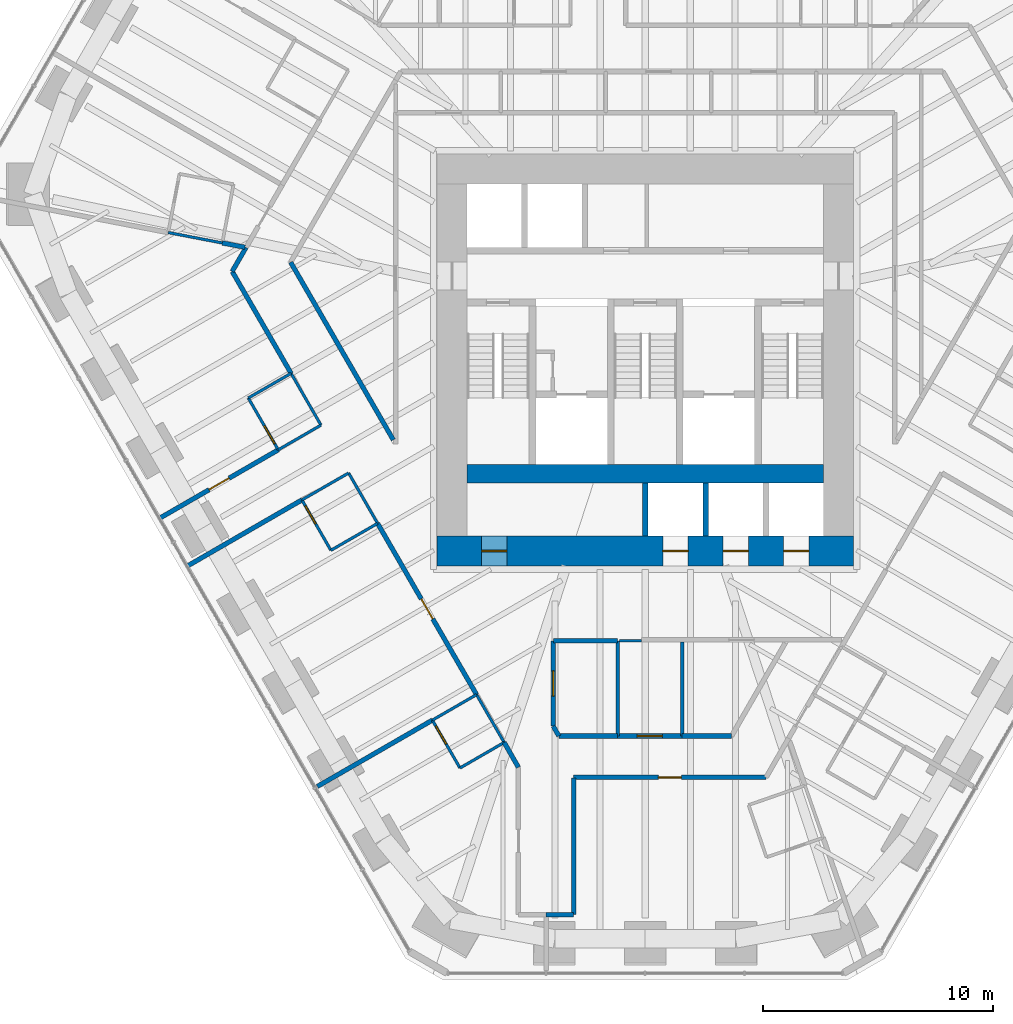
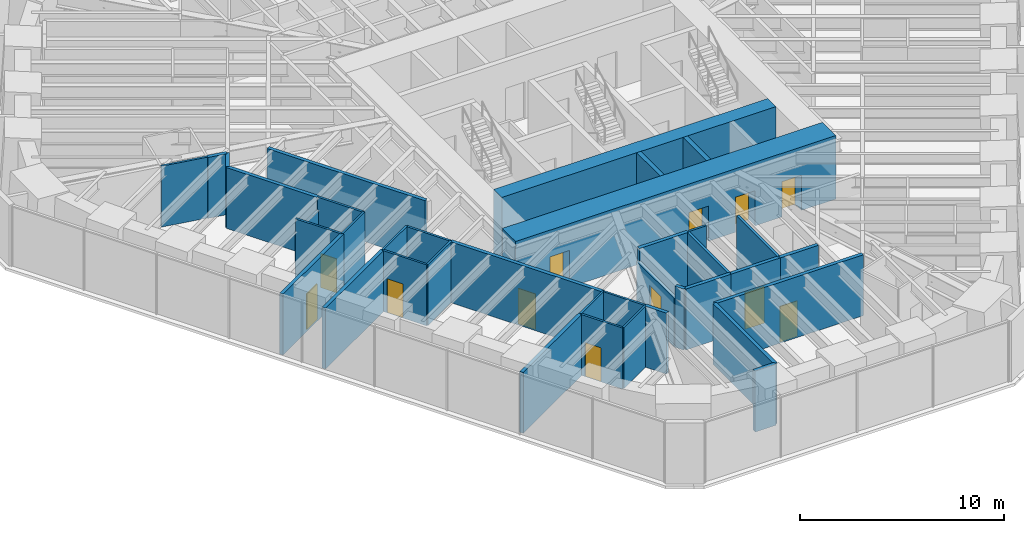
# One storey, part 11 of 17: 38 walls, 12 doors, 12 openings.
"""IFC4 building model written with IfcOpenShell, lengths in metres."""

import ifcopenshell
import ifcopenshell.guid

model = None  # the IFC model being written
_history = None  # IfcOwnerHistory: only IFC2X3 demands one
_inside = {}  # id of a spatial element -> (the spatial element, [elements in it])
_under = {}  # id of a project, library or spatial element -> (it, [spatial elements below it])
_declared = {}  # id of a project -> (the project, [libraries it declares])
_typed = {}  # id of a type object -> (the type object, [elements of that type])
_made_of = {}  # id of a material, layer set ... -> (it, [elements and type objects made of it])


def new_model(schema):
    """Start an empty IFC model of exactly this schema.

    Asked for "IFC4X3", IfcOpenShell would pick the latest addendum, in which some entities
    have other attributes; the version numbers below select the first issue.
    IFC2X3 requires an IfcOwnerHistory on every rooted entity: one is made here for all.
    """
    global model, _history
    if schema == "IFC4X3":
        model = ifcopenshell.file(schema_version=(4, 3, 0, 0))
    else:
        model = ifcopenshell.file(schema=schema)
    _inside.clear()
    _under.clear()
    _declared.clear()
    _typed.clear()
    _made_of.clear()
    _history = None
    if model.schema == "IFC2X3":
        org = make("IfcOrganization", Name="unknown")
        user = make(
            "IfcPersonAndOrganization",
            ThePerson=make("IfcPerson", FamilyName="unknown"),
            TheOrganization=org,
        )
        app = make(
            "IfcApplication",
            ApplicationDeveloper=org,
            Version="unknown",
            ApplicationFullName="unknown",
            ApplicationIdentifier="unknown",
        )
        _history = make(
            "IfcOwnerHistory",
            OwningUser=user,
            OwningApplication=app,
            ChangeAction="ADDED",
            CreationDate=0,
        )
    return model


def make(cls, **values):
    """One entity of the class cls with the attributes given. An attribute that is None is left unset."""
    return model.create_entity(
        cls, **{name: value for name, value in values.items() if value is not None}
    )


def rooted(cls, **values):
    """An entity with a GlobalId (a new one), such as an element, a storey or a relation."""
    return make(cls, GlobalId=ifcopenshell.guid.new(), OwnerHistory=_history, **values)


def si_unit(unit_type, name, prefix=None):
    """IfcSIUnit, for example si_unit("LENGTHUNIT", "METRE", prefix="MILLI")."""
    return make("IfcSIUnit", UnitType=unit_type, Prefix=prefix, Name=name)


def assignment(units):
    """IfcUnitAssignment: the units of a project."""
    return None if units is None else make("IfcUnitAssignment", Units=units)


def point(xyz):
    """IfcCartesianPoint."""
    return None if xyz is None else make("IfcCartesianPoint", Coordinates=xyz)


def direction(xyz):
    """IfcDirection."""
    return None if xyz is None else make("IfcDirection", DirectionRatios=xyz)


def frame(location, z_axis=None, x_axis=None):
    """IfcAxis2Placement3D, a coordinate frame: its origin and axes. An axis left out is left unset."""
    return make(
        "IfcAxis2Placement3D",
        Location=point(location),
        Axis=direction(z_axis),
        RefDirection=direction(x_axis),
    )


def frame_2d(location, x_axis=None):
    """IfcAxis2Placement2D, a coordinate frame in the plane: its origin and x axis."""
    return make(
        "IfcAxis2Placement2D", Location=point(location), RefDirection=direction(x_axis)
    )


def origin():
    """The frame at (0, 0, 0) with its axes left unset."""
    return frame((0.0, 0.0, 0.0))


def place(relative_to, where):
    """IfcLocalPlacement: puts the frame where relative to a parent placement (None: the world)."""
    return make(
        "IfcLocalPlacement", PlacementRelTo=relative_to, RelativePlacement=where
    )


def context(
    kind, dimensions, precision=None, world=None, true_north=None, identifier=None
):
    """IfcGeometricRepresentationContext, for example the 3D "Model" context."""
    return make(
        "IfcGeometricRepresentationContext",
        ContextIdentifier=identifier,
        ContextType=kind,
        CoordinateSpaceDimension=dimensions,
        Precision=precision,
        WorldCoordinateSystem=world,
        TrueNorth=true_north,
    )


def subcontext(parent, identifier, kind, view, scale=None):
    """IfcGeometricRepresentationSubContext, for example "Body" below "Model"."""
    return make(
        "IfcGeometricRepresentationSubContext",
        ContextIdentifier=identifier,
        ContextType=kind,
        ParentContext=parent,
        TargetScale=scale,
        TargetView=view,
    )


def project(units=None, contexts=None):
    """IfcProject with its units and contexts."""
    return rooted(
        "IfcProject",
        Name="project",
        RepresentationContexts=contexts,
        UnitsInContext=assignment(units),
    )


def spatial(cls, under=None, at=None, **own):
    """A site, building, storey or space (cls), placed at a placement, below another one or the project."""
    s = rooted(cls, ObjectPlacement=at, **own)
    if under is not None:
        _under.setdefault(under.id(), (under, []))[1].append(s)
    return s


def profile(cls, at=None, kind="AREA", **sizes):
    """A parametric profile (cls). Its sizes go by their IFC names, for example OverallWidth=200.0."""
    return make(cls, ProfileType=kind, Position=at, **sizes)


def rectangle(**sizes):
    """IfcRectangleProfileDef."""
    return profile("IfcRectangleProfileDef", **sizes)


def extrude(swept, where, along, depth):
    """IfcExtrudedAreaSolid: the profile swept, set in the frame where, extruded along a direction by depth."""
    return make(
        "IfcExtrudedAreaSolid",
        SweptArea=swept,
        Position=where,
        ExtrudedDirection=direction(along),
        Depth=depth,
    )


def shape(context_of_items, identifier, shape_type, items):
    """IfcShapeRepresentation: the items that make up one representation, for example the "Body"."""
    return make(
        "IfcShapeRepresentation",
        ContextOfItems=context_of_items,
        RepresentationIdentifier=identifier,
        RepresentationType=shape_type,
        Items=items,
    )


def material(Name=None, Category=None):
    """IfcMaterial."""
    return make("IfcMaterial", Name=Name, Category=Category)


def layer(
    of_material, thickness, ventilated=None, Name=None, Category=None, Priority=None
):
    """IfcMaterialLayer: one layer of a wall or slab, of a material (None: an air gap)."""
    return make(
        "IfcMaterialLayer",
        Material=of_material,
        LayerThickness=thickness,
        IsVentilated=ventilated,
        Name=Name,
        Category=Category,
        Priority=Priority,
    )


def layer_set(layers, Name=None):
    """IfcMaterialLayerSet."""
    return make("IfcMaterialLayerSet", MaterialLayers=layers, LayerSetName=Name)


def made_of(thing, what):
    """Note that an element or type object is made of a material, layer set ...; save() writes the relation."""
    if what is not None:
        _made_of.setdefault(what.id(), (what, []))[1].append(thing)
    return thing


def type_object(cls, material=None, **own):
    """A type object (cls), such as IfcWallType, which elements share."""
    return made_of(rooted(cls, **own), material)


def element(
    cls,
    number,
    at=None,
    inside=None,
    cuts=None,
    type_object=None,
    material=None,
    context=None,
    identifier="Body",
    shape_type=None,
    held_by="IfcProductDefinitionShape",
    body=None,
    shapes=None,
    **own,
):
    """One element of the class cls, such as IfcWall. Its Tag is "e" and its number.

    at: its placement. inside: the storey or other place that contains it. cuts: it is an
    opening in that element (IfcRelVoidsElement). A single representation is given by context,
    identifier, shape_type and body (its items); several are given by shapes. held_by: the class
    of the entity that holds the representations. save() writes the other relations.
    """
    e = rooted(cls, Tag="e%d" % number, ObjectPlacement=at, **own)
    if body is not None:
        shapes = [shape(context, identifier, shape_type, body)]
    if shapes is not None:
        e.Representation = make(held_by, Representations=shapes)
    if inside is not None:
        _inside.setdefault(inside.id(), (inside, []))[1].append(e)
    if cuts is not None:
        rooted(
            "IfcRelVoidsElement", RelatingBuildingElement=cuts, RelatedOpeningElement=e
        )
    if type_object is not None:
        _typed.setdefault(type_object.id(), (type_object, []))[1].append(e)
    return made_of(e, material)


def fill(opening, filler):
    """IfcRelFillsElement: the door or window that sits in an opening."""
    return rooted(
        "IfcRelFillsElement",
        RelatingOpeningElement=opening,
        RelatedBuildingElement=filler,
    )


def aggregate(whole, parts):
    """IfcRelAggregates: a whole, such as a stair, and the parts it consists of."""
    return rooted("IfcRelAggregates", RelatingObject=whole, RelatedObjects=parts)


def save(model, path):
    """Write the relations noted so far, then the file.

    IfcRelAggregates (storeys below a building ...), IfcRelContainedInSpatialStructure (elements
    in a storey), IfcRelDefinesByType, IfcRelAssociatesMaterial and IfcRelDeclares: one each for
    every whole, place, type object, material and project.
    """
    for whole, parts in _under.values():
        aggregate(whole, parts)
    for where, things in _inside.values():
        rooted(
            "IfcRelContainedInSpatialStructure",
            RelatedElements=things,
            RelatingStructure=where,
        )
    for kind, things in _typed.values():
        rooted("IfcRelDefinesByType", RelatedObjects=things, RelatingType=kind)
    for what, things in _made_of.values():
        rooted("IfcRelAssociatesMaterial", RelatedObjects=things, RelatingMaterial=what)
    for by, libraries in _declared.values():
        rooted("IfcRelDeclares", RelatingContext=by, RelatedDefinitions=libraries)
    model.write(path)


model = new_model("IFC4")

# Units and contexts
model_context = context("Model", 3, precision=1e-05, world=origin(), true_north=direction((0.0, 1.0)))
body_context = subcontext(model_context, "Body", "Model", "MODEL_VIEW")
ifc_project = project(units=[si_unit("LENGTHUNIT", "METRE"), si_unit("AREAUNIT", "SQUARE_METRE"), si_unit("VOLUMEUNIT", "CUBIC_METRE"), si_unit("PLANEANGLEUNIT", "RADIAN"), si_unit("MASSUNIT", "GRAM", prefix="KILO")], contexts=[model_context])

# Site, building, storey
site_placement = place(None, origin())
site = spatial("IfcSite", under=ifc_project, at=site_placement, CompositionType="ELEMENT")
building_placement = place(site_placement, origin())
building = spatial("IfcBuilding", under=site, at=building_placement, Name="Sandreach Pilgrim Tower", CompositionType="ELEMENT")
storey_placement = place(building_placement, frame((0.0, 0.0, 150.0)))
storey = spatial("IfcBuildingStorey", under=building, at=storey_placement, Name="L37", CompositionType="ELEMENT", Elevation=150.0)

# Walls
ifc_material_1 = material(Name="Gypsum board on steel studs", Category="steel")
ifc_layer_1 = layer(ifc_material_1, 0.14990234375)
ifc_layer_set_1 = layer_set([ifc_layer_1], Name="Back of house wall 150")
wall_type_1 = type_object("IfcWallType", Name="Back of house wall 150", PredefinedType="PARTITIONING", material=ifc_layer_set_1)
wall_1_placement = place(storey_placement, frame((-1.199951171875, -13.75, 0.0), z_axis=(0.0, 0.0, 1.0), x_axis=(0.0, -1.0, 0.0)))
element("IfcWall", 1, at=wall_1_placement, inside=storey, type_object=wall_type_1, Name="Back of house wall L37-073", PredefinedType="PARTITIONING", context=body_context, shape_type="SweptSolid", body=[
    extrude(rectangle(XDim=4.139892578125, YDim=0.14990234375, at=frame_2d((2.06982421875, 0.0))), origin(), (0.0, 0.0, 1.0), 3.639892578125),
])
wall_2_placement = place(storey_placement, frame((1.60009765625, -13.800048828125, 0.0), z_axis=(0.0, 0.0, 1.0), x_axis=(0.0, -1.0, 0.0)))
element("IfcWall", 2, at=wall_2_placement, inside=storey, type_object=wall_type_1, Name="Back of house wall L37-077", PredefinedType="PARTITIONING", context=body_context, shape_type="SweptSolid", body=[
    extrude(rectangle(XDim=4.08984375, YDim=0.14990234375, at=frame_2d((2.044921875, 0.0))), origin(), (0.0, 0.0, 1.0), 3.639892578125),
])
ifc_material_2 = material(Name="Moisture-resistant gypsum board on steel studs", Category="steel")
ifc_layer_2 = layer(ifc_material_2, 0.1201171875)
ifc_layer_set_2 = layer_set([ifc_layer_2], Name="Bathroom partition 120")
wall_type_2 = type_object("IfcWallType", Name="Bathroom partition 120", PredefinedType="PARTITIONING", material=ifc_layer_set_2)
wall_3_placement = place(storey_placement, frame((-20.72998046875, 3.989990234375, 0.0), z_axis=(0.0, 0.0, 1.0), x_axis=(0.982021000234, -0.188771701001, 0.0)))
element("IfcWall", 3, at=wall_3_placement, inside=storey, type_object=wall_type_2, Name="Bathroom partition L37-004", PredefinedType="PARTITIONING", context=body_context, shape_type="SweptSolid", body=[
    extrude(rectangle(XDim=2.392578125, YDim=0.1201171875, at=frame_2d((1.1962890625, 0.0))), origin(), (0.0, 0.0, 1.0), 3.639892578125),
])

# Wall, opening, door
wall_4_placement = place(storey_placement, frame((-17.25, -3.199951171875, 0.0), z_axis=(0.0, 0.0, 1.0), x_axis=(0.500291685314, -0.865856933682, 0.0)))
wall_4 = element("IfcWall", 4, at=wall_4_placement, inside=storey, type_object=wall_type_2, Name="Bathroom partition L37-018", PredefinedType="PARTITIONING", context=body_context, shape_type="SweptSolid", body=[
    extrude(rectangle(XDim=2.5986328125, YDim=0.1201171875, at=frame_2d((1.29931640625, 0.0))), origin(), (0.0, 0.0, 1.0), 3.639892578125),
])
opening_1_placement = place(wall_4_placement, frame((1.398681640625, 0.0, 0.0)))
opening_1 = element("IfcOpeningElement", 5, at=opening_1_placement, cuts=wall_4, Name="Opening D09-13B", PredefinedType="OPENING", context=body_context, shape_type="SweptSolid", body=[
    extrude(rectangle(XDim=0.89990234375, YDim=2.030029296875, at=frame_2d((0.449951171875, 1.01513671875))), frame((0.0, 0.06005859375, 0.0), z_axis=(0.0, -1.0, 0.0), x_axis=(1.0, 0.0, 0.0)), (0.0, 0.0, 1.0), 0.1201171875),
])
ifc_material_3 = material(Name="Timber door, steel frame", Category="steel")
door_type_1 = type_object("IfcDoorType", Name="Bathroom door", OperationType="SINGLE_SWING_LEFT", PredefinedType="DOOR", material=ifc_material_3)
door_1_placement = place(opening_1_placement, origin())
door_1 = element("IfcDoor", 6, at=door_1_placement, inside=storey, type_object=door_type_1, Name="Door 3713B", OperationType="SINGLE_SWING_RIGHT", OverallHeight=2.030029296875, OverallWidth=0.89990234375, PredefinedType="DOOR", context=body_context, shape_type="SweptSolid", body=[
    extrude(rectangle(XDim=0.89990234375, YDim=2.030029296875, at=frame_2d((0.449951171875, 1.01513671875))), frame((0.0, 0.02490234375, 0.0), z_axis=(0.0, -1.0, 0.0), x_axis=(1.0, 0.0, 0.0)), (0.0, 0.0, 1.0), 0.050048828125),
])
fill(opening_1, door_1)

# Walls
wall_5_placement = place(storey_placement, frame((-15.94873046875, -5.452392578125, 0.0), z_axis=(0.0, 0.0, 1.0), x_axis=(0.866142018774, 0.499797962495, 0.0)))
element("IfcWall", 7, at=wall_5_placement, inside=storey, type_object=wall_type_2, Name="Bathroom partition L37-020", PredefinedType="PARTITIONING", context=body_context, shape_type="SweptSolid", body=[
    extrude(rectangle(XDim=2.14599609375, YDim=0.1201171875, at=frame_2d((1.072998046875, 0.0))), origin(), (0.0, 0.0, 1.0), 3.639892578125),
])
wall_6_placement = place(storey_placement, frame((-15.389892578125, -2.1298828125, 0.0), z_axis=(0.0, 0.0, 1.0), x_axis=(-0.866804272416, -0.498648526841, 0.0)))
element("IfcWall", 8, at=wall_6_placement, inside=storey, type_object=wall_type_2, Name="Bathroom partition L37-023", PredefinedType="PARTITIONING", context=body_context, shape_type="SweptSolid", body=[
    extrude(rectangle(XDim=2.14599609375, YDim=0.1201171875, at=frame_2d((1.072998046875, 0.0))), origin(), (0.0, 0.0, 1.0), 2.8779296875),
])
wall_7_placement = place(storey_placement, frame((-15.389892578125, -2.1298828125, 0.0), z_axis=(0.0, 0.0, 1.0), x_axis=(0.500180550803, -0.865921137632, 0.0)))
element("IfcWall", 9, at=wall_7_placement, inside=storey, type_object=wall_type_2, Name="Bathroom partition L37-024", PredefinedType="PARTITIONING", context=body_context, shape_type="SweptSolid", body=[
    extrude(rectangle(XDim=2.5986328125, YDim=0.1201171875, at=frame_2d((1.29931640625, 0.0))), origin(), (0.0, 0.0, 1.0), 3.639892578125),
])

# Wall, opening, door
wall_8_placement = place(storey_placement, frame((-14.919921875, -7.6298828125, 0.0), z_axis=(0.0, 0.0, 1.0), x_axis=(0.498665353881, -0.866794592068, 0.0)))
wall_8 = element("IfcWall", 10, at=wall_8_placement, inside=storey, type_object=wall_type_2, Name="Bathroom partition L37-027", PredefinedType="PARTITIONING", context=body_context, shape_type="SweptSolid", body=[
    extrude(rectangle(XDim=2.52685546875, YDim=0.1201171875, at=frame_2d((1.263427734375, 0.0))), origin(), (0.0, 0.0, 1.0), 3.639892578125),
])
opening_2_placement = place(wall_8_placement, frame((0.300048828125, 0.0, 0.0)))
opening_2 = element("IfcOpeningElement", 11, at=opening_2_placement, cuts=wall_8, Name="Opening D09-12B", PredefinedType="OPENING", context=body_context, shape_type="SweptSolid", body=[
    extrude(rectangle(XDim=0.89990234375, YDim=2.030029296875, at=frame_2d((0.449951171875, 1.01513671875))), frame((0.0, 0.06005859375, 0.0), z_axis=(0.0, -1.0, 0.0), x_axis=(1.0, 0.0, 0.0)), (0.0, 0.0, 1.0), 0.1201171875),
])
door_2_placement = place(opening_2_placement, origin())
door_2 = element("IfcDoor", 12, at=door_2_placement, inside=storey, type_object=door_type_1, Name="Door 3712B", OperationType="SINGLE_SWING_LEFT", OverallHeight=2.030029296875, OverallWidth=0.89990234375, PredefinedType="DOOR", context=body_context, shape_type="SweptSolid", body=[
    extrude(rectangle(XDim=0.89990234375, YDim=2.030029296875, at=frame_2d((0.449951171875, 1.01513671875))), frame((0.0, 0.02490234375, 0.0), z_axis=(0.0, -1.0, 0.0), x_axis=(1.0, 0.0, 0.0)), (0.0, 0.0, 1.0), 0.050048828125),
])
fill(opening_2, door_2)

# Walls
wall_9_placement = place(storey_placement, frame((-14.919921875, -7.6298828125, 0.0), z_axis=(0.0, 0.0, 1.0), x_axis=(0.866390229467, 0.499367570316, 0.0)))
element("IfcWall", 13, at=wall_9_placement, inside=storey, type_object=wall_type_2, Name="Bathroom partition L37-028", PredefinedType="PARTITIONING", context=body_context, shape_type="SweptSolid", body=[
    extrude(rectangle(XDim=2.3427734375, YDim=0.1201171875, at=frame_2d((1.17138671875, 0.0))), origin(), (0.0, 0.0, 1.0), 3.639892578125),
])
wall_10_placement = place(storey_placement, frame((-13.659912109375, -9.820068359375, 0.0), z_axis=(0.0, 0.0, 1.0), x_axis=(0.866345142729, 0.499445786517, 0.0)))
element("IfcWall", 14, at=wall_10_placement, inside=storey, type_object=wall_type_2, Name="Bathroom partition L37-032", PredefinedType="PARTITIONING", context=body_context, shape_type="SweptSolid", body=[
    extrude(rectangle(XDim=2.343017578125, YDim=0.1201171875, at=frame_2d((1.17138671875, 0.0))), origin(), (0.0, 0.0, 1.0), 3.639892578125),
])
wall_11_placement = place(storey_placement, frame((-12.889892578125, -6.4599609375, 0.0), z_axis=(0.0, 0.0, 1.0), x_axis=(0.498707120669, -0.866770562372, 0.0)))
element("IfcWall", 15, at=wall_11_placement, inside=storey, type_object=wall_type_2, Name="Bathroom partition L37-033", PredefinedType="PARTITIONING", context=body_context, shape_type="SweptSolid", body=[
    extrude(rectangle(XDim=2.526611328125, YDim=0.1201171875, at=frame_2d((1.26318359375, 0.0))), origin(), (0.0, 0.0, 1.0), 3.639892578125),
])

# Wall, opening, door
wall_12_placement = place(storey_placement, frame((-9.25, -17.199951171875, 0.0), z_axis=(0.0, 0.0, 1.0), x_axis=(0.499693115345, -0.866202511239, 0.0)))
wall_12 = element("IfcWall", 16, at=wall_12_placement, inside=storey, type_object=wall_type_2, Name="Bathroom partition L37-044", PredefinedType="PARTITIONING", context=body_context, shape_type="SweptSolid", body=[
    extrude(rectangle(XDim=2.4013671875, YDim=0.1201171875, at=frame_2d((1.20068359375, 0.0))), origin(), (0.0, 0.0, 1.0), 3.639892578125),
])
opening_3_placement = place(wall_12_placement, frame((0.300048828125, 0.0, 0.0)))
opening_3 = element("IfcOpeningElement", 17, at=opening_3_placement, cuts=wall_12, Name="Opening D09-11B", PredefinedType="OPENING", context=body_context, shape_type="SweptSolid", body=[
    extrude(rectangle(XDim=0.89990234375, YDim=2.030029296875, at=frame_2d((0.449951171875, 1.01513671875))), frame((0.0, 0.06005859375, 0.0), z_axis=(0.0, -1.0, 0.0), x_axis=(1.0, 0.0, 0.0)), (0.0, 0.0, 1.0), 0.1201171875),
])
door_3_placement = place(opening_3_placement, origin())
door_3 = element("IfcDoor", 18, at=door_3_placement, inside=storey, type_object=door_type_1, Name="Door 3711B", OperationType="SINGLE_SWING_LEFT", OverallHeight=2.030029296875, OverallWidth=0.89990234375, PredefinedType="DOOR", context=body_context, shape_type="SweptSolid", body=[
    extrude(rectangle(XDim=0.89990234375, YDim=2.030029296875, at=frame_2d((0.449951171875, 1.01513671875))), frame((0.0, 0.02490234375, 0.0), z_axis=(0.0, -1.0, 0.0), x_axis=(1.0, 0.0, 0.0)), (0.0, 0.0, 1.0), 0.050048828125),
])
fill(opening_3, door_3)

# Walls
wall_13_placement = place(storey_placement, frame((-9.25, -17.199951171875, 0.0), z_axis=(0.0, 0.0, 1.0), x_axis=(0.86575271903, 0.500472006703, 0.0)))
element("IfcWall", 19, at=wall_13_placement, inside=storey, type_object=wall_type_2, Name="Bathroom partition L37-045", PredefinedType="PARTITIONING", context=body_context, shape_type="SweptSolid", body=[
    extrude(rectangle(XDim=2.217529296875, YDim=0.1201171875, at=frame_2d((1.10888671875, 0.0))), origin(), (0.0, 0.0, 1.0), 3.639892578125),
])
wall_14_placement = place(storey_placement, frame((-8.050048828125, -19.280029296875, 0.0), z_axis=(0.0, 0.0, 1.0), x_axis=(0.865732595383, 0.500506816428, 0.0)))
element("IfcWall", 20, at=wall_14_placement, inside=storey, type_object=wall_type_2, Name="Bathroom partition L37-048", PredefinedType="PARTITIONING", context=body_context, shape_type="SweptSolid", body=[
    extrude(rectangle(XDim=2.218017578125, YDim=0.1201171875, at=frame_2d((1.10888671875, 0.0))), origin(), (0.0, 0.0, 1.0), 3.639892578125),
])
wall_15_placement = place(storey_placement, frame((-7.330078125, -16.090087890625, 0.0), z_axis=(0.0, 0.0, 1.0), x_axis=(0.499737123639, -0.866177122335, 0.0)))
element("IfcWall", 21, at=wall_15_placement, inside=storey, type_object=wall_type_2, Name="Bathroom partition L37-049", PredefinedType="PARTITIONING", context=body_context, shape_type="SweptSolid", body=[
    extrude(rectangle(XDim=2.401123046875, YDim=0.1201171875, at=frame_2d((1.20068359375, 0.0))), origin(), (0.0, 0.0, 1.0), 3.639892578125),
])
wall_16_placement = place(storey_placement, frame((-1.125, -13.75, 0.0), z_axis=(0.0, 0.0, 1.0), x_axis=(1.0, 0.0, 0.0)))
element("IfcWall", 22, at=wall_16_placement, inside=storey, type_object=wall_type_2, Name="Bathroom partition L37-074", PredefinedType="PARTITIONING", context=body_context, shape_type="SweptSolid", body=[
    extrude(rectangle(XDim=0.955078125, YDim=0.1201171875, at=frame_2d((0.4775390625, 0.0))), origin(), (0.0, 0.0, 1.0), 3.639892578125),
])
ifc_material_4 = material(Name="Concrete 10000 psi", Category="concrete")
ifc_layer_3 = layer(ifc_material_4, 0.800048828125)
ifc_layer_set_3 = layer_set([ifc_layer_3], Name="Core mid wall 800")
wall_type_3 = type_object("IfcWallType", Name="Core mid wall 800", PredefinedType="SHEAR", material=ifc_layer_set_3)
wall_17_placement = place(storey_placement, frame((-7.75, -6.5, 0.0), z_axis=(0.0, 0.0, 1.0), x_axis=(1.0, 0.0, 0.0)))
element("IfcWall", 23, at=wall_17_placement, inside=storey, type_object=wall_type_3, Name="Core wall M L37", PredefinedType="SHEAR", context=body_context, shape_type="SweptSolid", body=[
    extrude(rectangle(XDim=15.5, YDim=0.800048828125, at=frame_2d((7.75, 0.0))), origin(), (0.0, 0.0, 1.0), 3.800048828125),
])

# Wall, openings, doors
ifc_material_5 = material(Name="Concrete 10000 psi", Category="concrete")
ifc_layer_4 = layer(ifc_material_5, 1.300048828125)
ifc_layer_set_4 = layer_set([ifc_layer_4], Name="Core wall 1300")
wall_type_4 = type_object("IfcWallType", Name="Core wall 1300", PredefinedType="SHEAR", material=ifc_layer_set_4)
wall_18_placement = place(storey_placement, frame((-9.050048828125, -9.85009765625, 0.0), z_axis=(0.0, 0.0, 1.0), x_axis=(1.0, 0.0, 0.0)))
wall_18 = element("IfcWall", 24, at=wall_18_placement, inside=storey, type_object=wall_type_4, Name="Core wall S L37", PredefinedType="SHEAR", context=body_context, shape_type="SweptSolid", body=[
    extrude(rectangle(XDim=18.10009765625, YDim=1.300048828125, at=frame_2d((9.050048828125, 0.0))), origin(), (0.0, 0.0, 1.0), 3.800048828125),
])
opening_4_placement = place(wall_18_placement, frame((1.9375, 0.0, 0.0)))
opening_4 = element("IfcOpeningElement", 25, at=opening_4_placement, cuts=wall_18, Name="Opening D11H", PredefinedType="OPENING", context=body_context, shape_type="SweptSolid", body=[
    extrude(rectangle(XDim=1.10009765625, YDim=2.199951171875, at=frame_2d((0.550048828125, 1.10009765625))), frame((0.0, 0.64990234375, 0.0), z_axis=(0.0, -1.0, 0.0), x_axis=(1.0, 0.0, 0.0)), (0.0, 0.0, 1.0), 1.300048828125),
])
opening_5_placement = place(wall_18_placement, frame((9.8125, 0.0, 0.0)))
opening_5 = element("IfcOpeningElement", 26, at=opening_5_placement, cuts=wall_18, Name="Opening LD11", PredefinedType="OPENING", context=body_context, shape_type="SweptSolid", body=[
    extrude(rectangle(XDim=1.10009765625, YDim=2.10009765625, at=frame_2d((0.550048828125, 1.050048828125))), frame((0.0, 0.64990234375, 0.0), z_axis=(0.0, -1.0, 0.0), x_axis=(1.0, 0.0, 0.0)), (0.0, 0.0, 1.0), 1.300048828125),
])
opening_6_placement = place(wall_18_placement, frame((12.4375, 0.0, 0.0)))
opening_6 = element("IfcOpeningElement", 27, at=opening_6_placement, cuts=wall_18, Name="Opening LD11", PredefinedType="OPENING", context=body_context, shape_type="SweptSolid", body=[
    extrude(rectangle(XDim=1.10009765625, YDim=2.10009765625, at=frame_2d((0.550048828125, 1.050048828125))), frame((0.0, 0.64990234375, 0.0), z_axis=(0.0, -1.0, 0.0), x_axis=(1.0, 0.0, 0.0)), (0.0, 0.0, 1.0), 1.300048828125),
])
opening_7_placement = place(wall_18_placement, frame((15.0625, 0.0, 0.0)))
opening_7 = element("IfcOpeningElement", 28, at=opening_7_placement, cuts=wall_18, Name="Opening LD11", PredefinedType="OPENING", context=body_context, shape_type="SweptSolid", body=[
    extrude(rectangle(XDim=1.10009765625, YDim=2.10009765625, at=frame_2d((0.550048828125, 1.050048828125))), frame((0.0, 0.64990234375, 0.0), z_axis=(0.0, -1.0, 0.0), x_axis=(1.0, 0.0, 0.0)), (0.0, 0.0, 1.0), 1.300048828125),
])
ifc_material_6 = material(Name="Steel door and frame", Category="steel")
door_type_2 = type_object("IfcDoorType", Name="Back of house door", OperationType="SINGLE_SWING_LEFT", PredefinedType="DOOR", material=ifc_material_6)
door_4_placement = place(opening_4_placement, origin())
door_4 = element("IfcDoor", 29, at=door_4_placement, inside=storey, type_object=door_type_2, Name="Door staff room 37K3", OperationType="SINGLE_SWING_LEFT", OverallHeight=2.199951171875, OverallWidth=1.10009765625, PredefinedType="DOOR", context=body_context, shape_type="SweptSolid", body=[
    extrude(rectangle(XDim=1.10009765625, YDim=2.199951171875, at=frame_2d((0.550048828125, 1.10009765625))), frame((0.0, 0.02490234375, 0.0), z_axis=(0.0, -1.0, 0.0), x_axis=(1.0, 0.0, 0.0)), (0.0, 0.0, 1.0), 0.050048828125),
])
fill(opening_4, door_4)
ifc_material_7 = material(Name="Steel door and frame", Category="steel")
door_type_3 = type_object("IfcDoorType", Name="Lift landing door", OperationType="DOUBLE_DOOR_SLIDING", PredefinedType="DOOR", material=ifc_material_7)
door_5_placement = place(opening_5_placement, origin())
door_5 = element("IfcDoor", 30, at=door_5_placement, inside=storey, type_object=door_type_3, Name="Lift landing door Z2A L37", OperationType="DOUBLE_DOOR_SLIDING", OverallHeight=2.10009765625, OverallWidth=1.10009765625, PredefinedType="DOOR", context=body_context, shape_type="SweptSolid", body=[
    extrude(rectangle(XDim=1.10009765625, YDim=2.10009765625, at=frame_2d((0.550048828125, 1.050048828125))), frame((0.0, 0.02490234375, 0.0), z_axis=(0.0, -1.0, 0.0), x_axis=(1.0, 0.0, 0.0)), (0.0, 0.0, 1.0), 0.050048828125),
])
fill(opening_5, door_5)
door_6_placement = place(opening_6_placement, origin())
door_6 = element("IfcDoor", 31, at=door_6_placement, inside=storey, type_object=door_type_3, Name="Lift landing door Z2B L37", OperationType="DOUBLE_DOOR_SLIDING", OverallHeight=2.10009765625, OverallWidth=1.10009765625, PredefinedType="DOOR", context=body_context, shape_type="SweptSolid", body=[
    extrude(rectangle(XDim=1.10009765625, YDim=2.10009765625, at=frame_2d((0.550048828125, 1.050048828125))), frame((0.0, 0.02490234375, 0.0), z_axis=(0.0, -1.0, 0.0), x_axis=(1.0, 0.0, 0.0)), (0.0, 0.0, 1.0), 0.050048828125),
])
fill(opening_6, door_6)
door_7_placement = place(opening_7_placement, origin())
door_7 = element("IfcDoor", 32, at=door_7_placement, inside=storey, type_object=door_type_3, Name="Lift landing door Z2C L37", OperationType="DOUBLE_DOOR_SLIDING", OverallHeight=2.10009765625, OverallWidth=1.10009765625, PredefinedType="DOOR", context=body_context, shape_type="SweptSolid", body=[
    extrude(rectangle(XDim=1.10009765625, YDim=2.10009765625, at=frame_2d((0.550048828125, 1.050048828125))), frame((0.0, 0.02490234375, 0.0), z_axis=(0.0, -1.0, 0.0), x_axis=(1.0, 0.0, 0.0)), (0.0, 0.0, 1.0), 0.050048828125),
])
fill(opening_7, door_7)

# Wall, opening, door
ifc_material_8 = material(Name="Gypsum board on steel studs, two layers each side", Category="steel")
ifc_layer_5 = layer(ifc_material_8, 0.199951171875)
ifc_layer_set_5 = layer_set([ifc_layer_5], Name="Corridor wall 200")
wall_type_5 = type_object("IfcWallType", Name="Corridor wall 200", PredefinedType="PARTITIONING", material=ifc_layer_set_5)
wall_19_placement = place(storey_placement, frame((-21.083984375, -8.4150390625, 0.0), z_axis=(0.0, 0.0, 1.0), x_axis=(0.866185586049, 0.49972245349, 0.0)))
wall_19 = element("IfcWall", 33, at=wall_19_placement, inside=storey, type_object=wall_type_5, Name="Corridor wall L37-003", PredefinedType="PARTITIONING", context=body_context, shape_type="SweptSolid", body=[
    extrude(rectangle(XDim=5.928466796875, YDim=0.199951171875, at=frame_2d((2.96435546875, 0.0))), origin(), (0.0, 0.0, 1.0), 3.639892578125),
])
opening_8_placement = place(wall_19_placement, frame((2.46435546875, 0.0, 0.0)))
opening_8 = element("IfcOpeningElement", 34, at=opening_8_placement, cuts=wall_19, Name="Opening D10-13", PredefinedType="OPENING", context=body_context, shape_type="SweptSolid", body=[
    extrude(rectangle(XDim=1.0, YDim=2.1298828125, at=frame_2d((0.5, 1.06494140625))), frame((0.0, 0.10009765625, 0.0), z_axis=(0.0, -1.0, 0.0), x_axis=(1.0, 0.0, 0.0)), (0.0, 0.0, 1.0), 0.199951171875),
])
ifc_material_9 = material(Name="Steel door and frame", Category="steel")
door_type_4 = type_object("IfcDoorType", Name="Guest room entry door", OperationType="SINGLE_SWING_LEFT", PredefinedType="DOOR", material=ifc_material_9)
door_8_placement = place(opening_8_placement, origin())
door_8 = element("IfcDoor", 35, at=door_8_placement, inside=storey, type_object=door_type_4, Name="Door 3713", OperationType="SINGLE_SWING_LEFT", OverallHeight=2.1298828125, OverallWidth=1.0, PredefinedType="DOOR", context=body_context, shape_type="SweptSolid", body=[
    extrude(rectangle(XDim=1.0, YDim=2.1298828125, at=frame_2d((0.5, 1.06494140625))), frame((0.0, 0.02490234375, 0.0), z_axis=(0.0, -1.0, 0.0), x_axis=(1.0, 0.0, 0.0)), (0.0, 0.0, 1.0), 0.050048828125),
])
fill(opening_8, door_8)

# Walls
wall_20_placement = place(storey_placement, frame((-19.884033203125, -10.4951171875, 0.0), z_axis=(0.0, 0.0, 1.0), x_axis=(0.86608558139, 0.499895754841, 0.0)))
element("IfcWall", 36, at=wall_20_placement, inside=storey, type_object=wall_type_5, Name="Corridor wall L37-010", PredefinedType="PARTITIONING", context=body_context, shape_type="SweptSolid", body=[
    extrude(rectangle(XDim=5.731689453125, YDim=0.199951171875, at=frame_2d((2.86572265625, 0.0))), origin(), (0.0, 0.0, 1.0), 3.639892578125),
])
wall_21_placement = place(storey_placement, frame((-17.949951171875, 2.300048828125, 0.0), z_axis=(0.0, 0.0, 1.0), x_axis=(0.500795801589, 0.865565459749, 0.0)))
element("IfcWall", 37, at=wall_21_placement, inside=storey, type_object=wall_type_5, Name="Corridor wall L37-014", PredefinedType="PARTITIONING", context=body_context, shape_type="SweptSolid", body=[
    extrude(rectangle(XDim=1.20068359375, YDim=0.199951171875, at=frame_2d((0.600341796875, 0.0))), origin(), (0.0, 0.0, 1.0), 3.639892578125),
])
wall_22_placement = place(storey_placement, frame((-17.949951171875, 2.300048828125, 0.0), z_axis=(0.0, 0.0, 1.0), x_axis=(0.500336423072, -0.865831082687, 0.0)))
element("IfcWall", 38, at=wall_22_placement, inside=storey, type_object=wall_type_5, Name="Corridor wall L37-015", PredefinedType="PARTITIONING", context=body_context, shape_type="SweptSolid", body=[
    extrude(rectangle(XDim=5.11669921875, YDim=0.199951171875, at=frame_2d((2.558349609375, 0.0))), origin(), (0.0, 0.0, 1.0), 3.639892578125),
])

# Wall, opening, door
wall_23_placement = place(storey_placement, frame((-11.6298828125, -8.64990234375, 0.0), z_axis=(0.0, 0.0, 1.0), x_axis=(0.500367528775, -0.865813106939, 0.0)))
wall_23 = element("IfcWall", 39, at=wall_23_placement, inside=storey, type_object=wall_type_5, Name="Corridor wall L37-035", PredefinedType="PARTITIONING", context=body_context, shape_type="SweptSolid", body=[
    extrude(rectangle(XDim=8.59326171875, YDim=0.199951171875, at=frame_2d((4.296630859375, 0.0))), origin(), (0.0, 0.0, 1.0), 3.639892578125),
])
opening_9_placement = place(wall_23_placement, frame((3.796630859375, 0.0, 0.0)))
opening_9 = element("IfcOpeningElement", 40, at=opening_9_placement, cuts=wall_23, Name="Opening D10-12", PredefinedType="OPENING", context=body_context, shape_type="SweptSolid", body=[
    extrude(rectangle(XDim=1.0, YDim=2.1298828125, at=frame_2d((0.5, 1.06494140625))), frame((0.0, 0.10009765625, 0.0), z_axis=(0.0, -1.0, 0.0), x_axis=(1.0, 0.0, 0.0)), (0.0, 0.0, 1.0), 0.199951171875),
])
door_9_placement = place(opening_9_placement, origin())
door_9 = element("IfcDoor", 41, at=door_9_placement, inside=storey, type_object=door_type_4, Name="Door 3712", OperationType="SINGLE_SWING_LEFT", OverallHeight=2.1298828125, OverallWidth=1.0, PredefinedType="DOOR", context=body_context, shape_type="SweptSolid", body=[
    extrude(rectangle(XDim=1.0, YDim=2.1298828125, at=frame_2d((0.5, 1.06494140625))), frame((0.0, 0.02490234375, 0.0), z_axis=(0.0, -1.0, 0.0), x_axis=(1.0, 0.0, 0.0)), (0.0, 0.0, 1.0), 0.050048828125),
])
fill(opening_9, door_9)

# Walls
wall_24_placement = place(storey_placement, frame((-10.947509765625, -5.021240234375, 0.0), z_axis=(0.0, 0.0, 1.0), x_axis=(-0.500384322182, 0.865803401538, 0.0)))
element("IfcWall", 42, at=wall_24_placement, inside=storey, type_object=wall_type_5, Name="Corridor wall L37-038", PredefinedType="PARTITIONING", context=body_context, shape_type="SweptSolid", body=[
    extrude(rectangle(XDim=8.91796875, YDim=0.199951171875, at=frame_2d((4.458984375, 0.0))), origin(), (0.0, 0.0, 1.0), 3.639892578125),
])
wall_25_placement = place(storey_placement, frame((-6.1298828125, -18.169921875, 0.0), z_axis=(0.0, 0.0, 1.0), x_axis=(0.497763752085, -0.867312658221, 0.0)))
element("IfcWall", 43, at=wall_25_placement, inside=storey, type_object=wall_type_5, Name="Corridor wall L37-053", PredefinedType="PARTITIONING", context=body_context, shape_type="SweptSolid", body=[
    extrude(rectangle(XDim=1.245361328125, YDim=0.199951171875, at=frame_2d((0.62255859375, 0.0))), origin(), (0.0, 0.0, 1.0), 3.639892578125),
])
wall_26_placement = place(storey_placement, frame((-4.31005859375, -25.64990234375, 0.0), z_axis=(0.0, 0.0, 1.0), x_axis=(1.0, 0.0, 0.0)))
element("IfcWall", 44, at=wall_26_placement, inside=storey, type_object=wall_type_5, Name="Corridor wall L37-059", PredefinedType="PARTITIONING", context=body_context, shape_type="SweptSolid", body=[
    extrude(rectangle(XDim=1.18505859375, YDim=0.199951171875, at=frame_2d((0.592529296875, 0.0))), origin(), (0.0, 0.0, 1.0), 3.639892578125),
])

# Wall, opening, door
wall_27_placement = place(storey_placement, frame((-4.0, -17.4599609375, 0.0), z_axis=(0.0, 0.0, 1.0), x_axis=(0.0, 1.0, 0.0)))
wall_27 = element("IfcWall", 45, at=wall_27_placement, inside=storey, type_object=wall_type_5, Name="Corridor wall L37-060", PredefinedType="PARTITIONING", context=body_context, shape_type="SweptSolid", body=[
    extrude(rectangle(XDim=3.7099609375, YDim=0.199951171875, at=frame_2d((1.85498046875, 0.0))), origin(), (0.0, 0.0, 1.0), 2.8779296875),
])
opening_10_placement = place(wall_27_placement, frame((1.304931640625, 0.0, 0.0)))
opening_10 = element("IfcOpeningElement", 46, at=opening_10_placement, cuts=wall_27, Name="Opening D11H-S2", PredefinedType="OPENING", context=body_context, shape_type="SweptSolid", body=[
    extrude(rectangle(XDim=1.10009765625, YDim=2.199951171875, at=frame_2d((0.550048828125, 1.10009765625))), frame((0.0, 0.10009765625, 0.0), z_axis=(0.0, -1.0, 0.0), x_axis=(1.0, 0.0, 0.0)), (0.0, 0.0, 1.0), 0.199951171875),
])
door_10_placement = place(opening_10_placement, origin())
door_10 = element("IfcDoor", 47, at=door_10_placement, inside=storey, type_object=door_type_2, Name="Door 37S2", OperationType="SINGLE_SWING_LEFT", OverallHeight=2.199951171875, OverallWidth=1.10009765625, PredefinedType="DOOR", context=body_context, shape_type="SweptSolid", body=[
    extrude(rectangle(XDim=1.10009765625, YDim=2.199951171875, at=frame_2d((0.550048828125, 1.10009765625))), frame((0.0, 0.02490234375, 0.0), z_axis=(0.0, -1.0, 0.0), x_axis=(1.0, 0.0, 0.0)), (0.0, 0.0, 1.0), 0.050048828125),
])
fill(opening_10, door_10)

# Walls
wall_28_placement = place(storey_placement, frame((-3.989990234375, -13.75, 0.0), z_axis=(0.0, 0.0, 1.0), x_axis=(1.0, 0.0, 0.0)))
element("IfcWall", 48, at=wall_28_placement, inside=storey, type_object=wall_type_5, Name="Corridor wall L37-061", PredefinedType="PARTITIONING", context=body_context, shape_type="SweptSolid", body=[
    extrude(rectangle(XDim=2.7900390625, YDim=0.199951171875, at=frame_2d((1.39501953125, 0.0))), origin(), (0.0, 0.0, 1.0), 3.639892578125),
])
wall_29_placement = place(storey_placement, frame((-3.75, -17.889892578125, 0.0), z_axis=(0.0, 0.0, 1.0), x_axis=(-0.502680181512, 0.864472460588, 0.0)))
element("IfcWall", 49, at=wall_29_placement, inside=storey, type_object=wall_type_5, Name="Corridor wall L37-062", PredefinedType="PARTITIONING", context=body_context, shape_type="SweptSolid", body=[
    extrude(rectangle(XDim=0.497314453125, YDim=0.199951171875, at=frame_2d((0.24853515625, 0.0))), origin(), (0.0, 0.0, 1.0), 3.639892578125),
])
wall_30_placement = place(storey_placement, frame((-3.110107421875, -25.64990234375, 0.0), z_axis=(0.0, 0.0, 1.0), x_axis=(0.0, 1.0, 0.0)))
element("IfcWall", 50, at=wall_30_placement, inside=storey, type_object=wall_type_5, Name="Corridor wall L37-067", PredefinedType="PARTITIONING", context=body_context, shape_type="SweptSolid", body=[
    extrude(rectangle(XDim=5.94482421875, YDim=0.199951171875, at=frame_2d((2.972412109375, 0.0))), origin(), (0.0, 0.0, 1.0), 3.639892578125),
])

# Wall, opening, door
wall_31_placement = place(storey_placement, frame((-3.110107421875, -19.68994140625, 0.0), z_axis=(0.0, 0.0, 1.0), x_axis=(1.0, 0.0, 0.0)))
wall_31 = element("IfcWall", 51, at=wall_31_placement, inside=storey, type_object=wall_type_5, Name="Corridor wall L37-068", PredefinedType="PARTITIONING", context=body_context, shape_type="SweptSolid", body=[
    extrude(rectangle(XDim=8.360107421875, YDim=0.199951171875, at=frame_2d((4.18017578125, 0.0))), origin(), (0.0, 0.0, 1.0), 3.639892578125),
])
opening_11_placement = place(wall_31_placement, frame((3.679931640625, 0.0, 0.0)))
opening_11 = element("IfcOpeningElement", 52, at=opening_11_placement, cuts=wall_31, Name="Opening D10-10", PredefinedType="OPENING", context=body_context, shape_type="SweptSolid", body=[
    extrude(rectangle(XDim=1.0, YDim=2.1298828125, at=frame_2d((0.5, 1.06494140625))), frame((0.0, 0.10009765625, 0.0), z_axis=(0.0, -1.0, 0.0), x_axis=(1.0, 0.0, 0.0)), (0.0, 0.0, 1.0), 0.199951171875),
])
door_11_placement = place(opening_11_placement, origin())
door_11 = element("IfcDoor", 53, at=door_11_placement, inside=storey, type_object=door_type_4, Name="Door 3710", OperationType="SINGLE_SWING_LEFT", OverallHeight=2.1298828125, OverallWidth=1.0, PredefinedType="DOOR", context=body_context, shape_type="SweptSolid", body=[
    extrude(rectangle(XDim=1.0, YDim=2.1298828125, at=frame_2d((0.5, 1.06494140625))), frame((0.0, 0.02490234375, 0.0), z_axis=(0.0, -1.0, 0.0), x_axis=(1.0, 0.0, 0.0)), (0.0, 0.0, 1.0), 0.050048828125),
])
fill(opening_11, door_11)

# Wall
wall_32_placement = place(storey_placement, frame((-1.199951171875, -17.889892578125, 0.0), z_axis=(0.0, 0.0, 1.0), x_axis=(-1.0, 0.0, 0.0)))
element("IfcWall", 54, at=wall_32_placement, inside=storey, type_object=wall_type_5, Name="Corridor wall L37-072", PredefinedType="PARTITIONING", context=body_context, shape_type="SweptSolid", body=[
    extrude(rectangle(XDim=2.550048828125, YDim=0.199951171875, at=frame_2d((1.27490234375, 0.0))), origin(), (0.0, 0.0, 1.0), 3.639892578125),
])

# Wall, opening, door
wall_33_placement = place(storey_placement, frame((1.60009765625, -17.889892578125, 0.0), z_axis=(0.0, 0.0, 1.0), x_axis=(-1.0, 0.0, 0.0)))
wall_33 = element("IfcWall", 55, at=wall_33_placement, inside=storey, type_object=wall_type_5, Name="Corridor wall L37-076", PredefinedType="PARTITIONING", context=body_context, shape_type="SweptSolid", body=[
    extrude(rectangle(XDim=2.800048828125, YDim=0.199951171875, at=frame_2d((1.39990234375, 0.0))), origin(), (0.0, 0.0, 1.0), 3.639892578125),
])
opening_12_placement = place(wall_33_placement, frame((0.85009765625, 0.0, 0.0)))
opening_12 = element("IfcOpeningElement", 56, at=opening_12_placement, cuts=wall_33, Name="Opening D11H-S3", PredefinedType="OPENING", context=body_context, shape_type="SweptSolid", body=[
    extrude(rectangle(XDim=1.10009765625, YDim=2.199951171875, at=frame_2d((0.550048828125, 1.10009765625))), frame((0.0, 0.10009765625, 0.0), z_axis=(0.0, -1.0, 0.0), x_axis=(1.0, 0.0, 0.0)), (0.0, 0.0, 1.0), 0.199951171875),
])
door_12_placement = place(opening_12_placement, origin())
door_12 = element("IfcDoor", 57, at=door_12_placement, inside=storey, type_object=door_type_2, Name="Door 37S3", OperationType="SINGLE_SWING_LEFT", OverallHeight=2.199951171875, OverallWidth=1.10009765625, PredefinedType="DOOR", context=body_context, shape_type="SweptSolid", body=[
    extrude(rectangle(XDim=1.10009765625, YDim=2.199951171875, at=frame_2d((0.550048828125, 1.10009765625))), frame((0.0, 0.02490234375, 0.0), z_axis=(0.0, -1.0, 0.0), x_axis=(1.0, 0.0, 0.0)), (0.0, 0.0, 1.0), 0.050048828125),
])
fill(opening_12, door_12)

# Walls
wall_34_placement = place(storey_placement, frame((3.75, -17.889892578125, 0.0), z_axis=(0.0, 0.0, 1.0), x_axis=(-1.0, 0.0, 0.0)))
element("IfcWall", 58, at=wall_34_placement, inside=storey, type_object=wall_type_5, Name="Corridor wall L37-081", PredefinedType="PARTITIONING", context=body_context, shape_type="SweptSolid", body=[
    extrude(rectangle(XDim=2.14990234375, YDim=0.199951171875, at=frame_2d((1.074951171875, 0.0))), origin(), (0.0, 0.0, 1.0), 3.639892578125),
])
ifc_material_10 = material(Name="Double steel stud acoustic wall, gypsum board", Category="steel")
ifc_layer_6 = layer(ifc_material_10, 0.199951171875)
ifc_layer_set_6 = layer_set([ifc_layer_6], Name="Party wall 200")
wall_type_6 = type_object("IfcWallType", Name="Party wall 200", PredefinedType="PARTITIONING", material=ifc_layer_set_6)
wall_35_placement = place(storey_placement, frame((-18.38037109375, 3.538330078125, 0.0), z_axis=(0.0, 0.0, 1.0), x_axis=(0.981957872109, -0.189099808045, 0.0)))
element("IfcWall", 59, at=wall_35_placement, inside=storey, type_object=wall_type_6, Name="Party wall L37-012", PredefinedType="PARTITIONING", context=body_context, shape_type="SweptSolid", body=[
    extrude(rectangle(XDim=1.00439453125, YDim=0.199951171875, at=frame_2d((0.502197265625, 0.0))), origin(), (0.0, 0.0, 1.0), 3.639892578125),
])
wall_36_placement = place(storey_placement, frame((-14.24609375, -20.080078125, 0.0), z_axis=(0.0, 0.0, 1.0), x_axis=(0.866353281607, 0.499431668448, 0.0)))
element("IfcWall", 60, at=wall_36_placement, inside=storey, type_object=wall_type_6, Name="Party wall L37-029", PredefinedType="PARTITIONING", context=body_context, shape_type="SweptSolid", body=[
    extrude(rectangle(XDim=5.766845703125, YDim=0.199951171875, at=frame_2d((2.88330078125, 0.0))), origin(), (0.0, 0.0, 1.0), 3.639892578125),
])
ifc_material_11 = material(Name="Gypsum shaft wall on steel studs, two layers of shaft liner board", Category="steel")
ifc_layer_7 = layer(ifc_material_11, 0.25)
ifc_layer_set_7 = layer_set([ifc_layer_7], Name="Shaft partition 250")
wall_type_7 = type_object("IfcWallType", Name="Shaft partition 250", PredefinedType="PARTITIONING", material=ifc_layer_set_7)
for number, where, z_axis, x_axis, name in (
    (61, (0.0, -9.199951171875, 0.0), (0.0, 0.0, 1.0), (0.0, 1.0, 0.0), "Shaft partition XS2 L37"),
    (62, (2.625, -9.199951171875, 0.0), (0.0, 0.0, 1.0), (0.0, 1.0, 0.0), "Shaft partition XS3 L37"),
):
    element("IfcWall", number, at=place(storey_placement, frame(where, z_axis=z_axis, x_axis=x_axis)), inside=storey, type_object=wall_type_7, Name=name, PredefinedType="PARTITIONING", context=body_context, shape_type="SweptSolid", body=[
        extrude(rectangle(XDim=2.300048828125, YDim=0.25, at=frame_2d((1.14990234375, 0.0))), origin(), (0.0, 0.0, 1.0), 3.800048828125),
    ])

save(model, "model.ifc")
